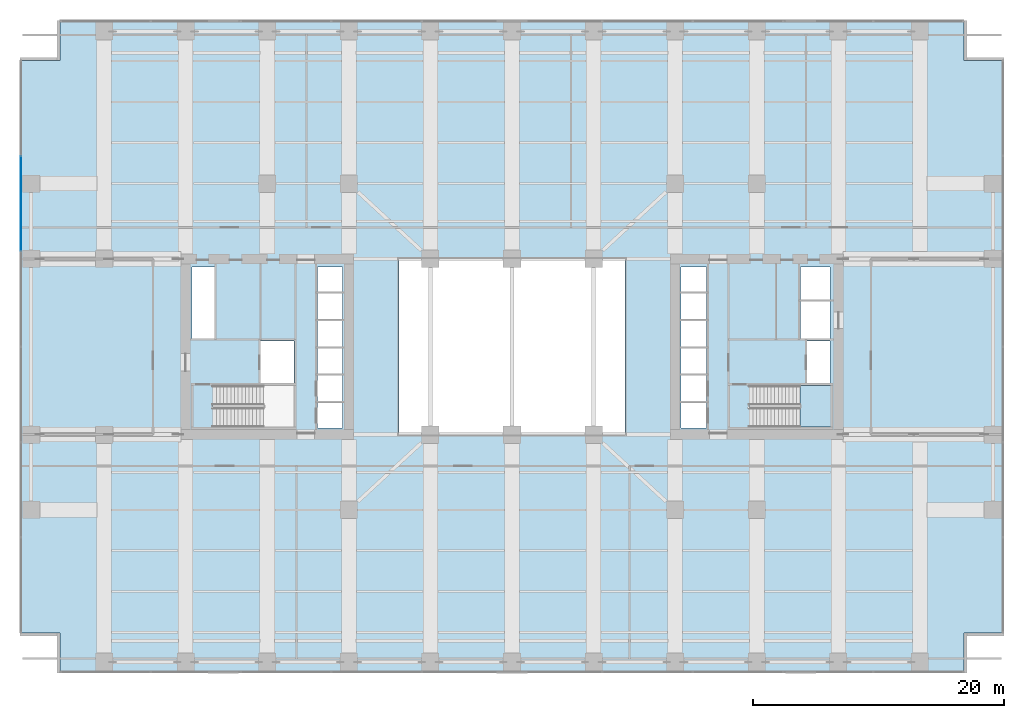
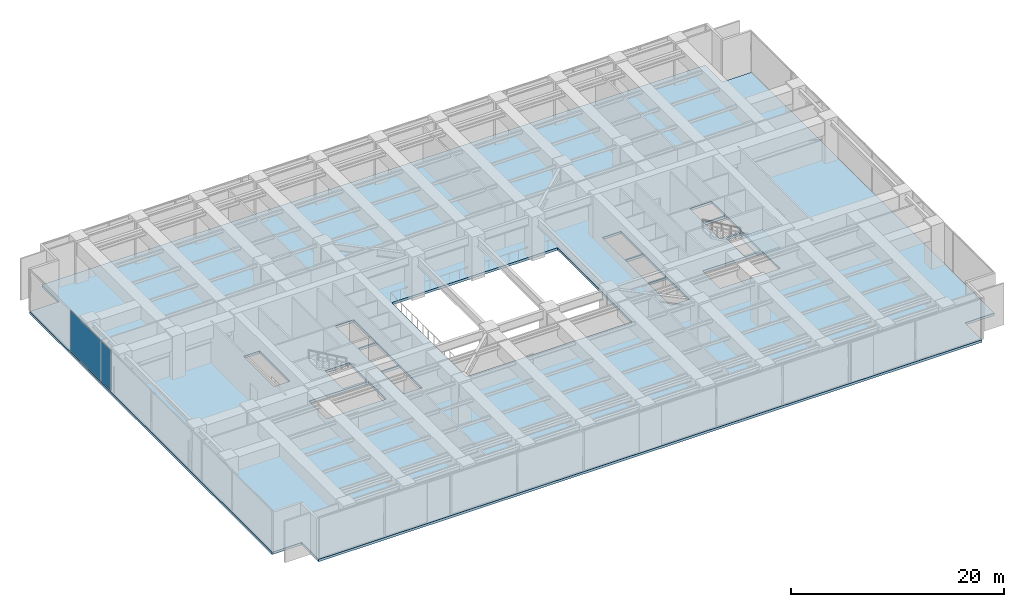
# One storey, part 16 of 31: 2 slabs, 1 plate, 2 elements without a shape of their own.
"""IFC4 building model written with IfcOpenShell, lengths in metres."""

from ifc_helpers import new_model, si_unit, direction, frame, origin, origin_2d, place, context, subcontext, project, spatial, polyline, rectangle, outline, extrude, material, layer, layer_set, type_object, element, aggregate, save


model = new_model("IFC4")

# Units and contexts
model_context = context("Model", 3, precision=1e-05, world=origin(), true_north=direction((0.0, 1.0)))
body_context = subcontext(model_context, "Body", "Model", "MODEL_VIEW")
ifc_project = project(units=[si_unit("LENGTHUNIT", "METRE"), si_unit("AREAUNIT", "SQUARE_METRE"), si_unit("VOLUMEUNIT", "CUBIC_METRE"), si_unit("PLANEANGLEUNIT", "RADIAN"), si_unit("MASSUNIT", "GRAM", prefix="KILO")], contexts=[model_context])

# Site, building, storey
site_placement = place(None, origin())
site = spatial("IfcSite", under=ifc_project, at=site_placement, CompositionType="ELEMENT")
building_placement = place(site_placement, origin())
building = spatial("IfcBuilding", under=site, at=building_placement, Name="Putna Gate Headquarters", CompositionType="ELEMENT")
storey_placement = place(building_placement, frame((0.0, 0.0, 81.0)))
storey = spatial("IfcBuildingStorey", under=building, at=storey_placement, Name="L19", CompositionType="ELEMENT", Elevation=81.0)

# Stair, slab
ifc_material_1 = material(Name="Concrete C40/50", Category="concrete")
stair_type = type_object("IfcStairType", Name="STAIR-ST2", PredefinedType="HALF_TURN_STAIR", material=ifc_material_1)
stair_placement = place(storey_placement, origin())
stair = element("IfcStair", 1, at=stair_placement, inside=storey, type_object=stair_type, Name="L19 East Core Exit Stair ST2", PredefinedType="HALF_TURN_STAIR")
ifc_layer_1 = layer(ifc_material_1, 0.199951171875)
ifc_layer_set_1 = layer_set([ifc_layer_1], Name="Concrete C40/50")
slab_type_1 = type_object("IfcSlabType", Name="LANDING-ST2", PredefinedType="LANDING", material=ifc_layer_set_1)
slab_1_placement = place(storey_placement, frame((0.0, 0.0, 2.300048828125)))
slab_1 = element("IfcSlab", 2, at=slab_1_placement, type_object=slab_type_1, Name="ST2 landing 1", PredefinedType="LANDING", context=body_context, shape_type="SweptSolid", body=[
    extrude(outline(polyline([(61.9599609375, 19.60009765625), (64.39990234375, 19.60009765625), (64.39990234375, 22.89990234375), (61.9599609375, 22.89990234375), (61.9599609375, 19.60009765625)])), origin(), (0.0, 0.0, 1.0), 0.199951171875),
])
aggregate(stair, [slab_1])

# Curtain wall, plate
ifc_material_2 = material(Name="Anodised bronze aluminium curtain wall", Category="aluminium")
ifc_layer_2 = layer(ifc_material_2, 0.159912109375)
ifc_layer_set_2 = layer_set([ifc_layer_2], Name="Anodised bronze aluminium curtain wall")
curtain_wall_type = type_object("IfcCurtainWallType", Name="CW-SYS-CRN", PredefinedType="USERDEFINED", material=ifc_layer_set_2)
curtain_wall_placement = place(storey_placement, origin())
curtain_wall = element("IfcCurtainWall", 3, at=curtain_wall_placement, inside=storey, type_object=curtain_wall_type, Name="L19 Acoustic Louvre West Enclosure", ObjectType="STICK CURTAIN WALL", PredefinedType="USERDEFINED")
ifc_material_3 = material(Name="Anodised bronze acoustic louvre panel", Category="aluminium")
ifc_layer_3 = layer(ifc_material_3, 0.044921875)
ifc_layer_set_3 = layer_set([ifc_layer_3], Name="Anodised bronze acoustic louvre panel")
plate_type = type_object("IfcPlateType", Name="PAN-CWP-CR", PredefinedType="CURTAIN_PANEL", material=ifc_layer_set_3)
plate_placement = place(storey_placement, frame((-0.1201171875, 37.39990234375, 0.06494140625), z_axis=(0.0, 0.0, 1.0), x_axis=(0.0, 1.0, 0.0)))
plate = element("IfcPlate", 4, at=plate_placement, type_object=plate_type, Name="CWS-CR panel 5.1", PredefinedType="CURTAIN_PANEL", context=body_context, shape_type="SweptSolid", body=[
    extrude(rectangle(XDim=7.534912109375, YDim=0.044921875, at=origin_2d()), origin(), (0.0, 0.0, 1.0), 4.635009765625),
])
aggregate(curtain_wall, [plate])

# Slab
ifc_layer_4 = layer(ifc_material_1, 0.280029296875)
ifc_layer_set_4 = layer_set([ifc_layer_4], Name="Concrete C40/50")
slab_type_2 = type_object("IfcSlabType", Name="SLAB-PLANT-280", PredefinedType="FLOOR", material=ifc_layer_set_4)
slab_2_placement = place(storey_placement, frame((0.0, 0.0, -0.280029296875)))
element("IfcSlab", 5, at=slab_2_placement, inside=storey, type_object=slab_type_2, Name="L19 Composite Floor Slab", PredefinedType="FLOOR", context=body_context, shape_type="SweptSolid", body=[
    extrude(outline(polyline([(3.0, 0.0), (75.0, 0.0), (75.0, 3.199951171875), (78.199951171875, 3.199951171875), (78.199951171875, 48.800048828125), (75.0, 48.800048828125), (75.0, 52.0), (3.0, 52.0), (3.0, 48.800048828125), (-0.199951171875, 48.800048828125), (-0.199951171875, 3.199951171875), (3.0, 3.199951171875), (3.0, 0.0)]), holes=[polyline([(15.1650390625, 19.60009765625), (21.64990234375, 19.60009765625), (21.64990234375, 22.89990234375), (15.1650390625, 22.89990234375), (15.1650390625, 19.60009765625)]), polyline([(57.9150390625, 19.60009765625), (64.39990234375, 19.60009765625), (64.39990234375, 22.89990234375), (57.9150390625, 22.89990234375), (57.9150390625, 19.60009765625)]), polyline([(13.52001953125, 26.659912109375), (15.280029296875, 26.659912109375), (15.280029296875, 32.35009765625), (13.52001953125, 32.35009765625), (13.52001953125, 26.659912109375)]), polyline([(61.969970703125, 29.780029296875), (64.35009765625, 29.780029296875), (64.35009765625, 32.35009765625), (61.969970703125, 32.35009765625), (61.969970703125, 29.780029296875)]), polyline([(18.97998046875, 23.1201171875), (21.6201171875, 23.1201171875), (21.6201171875, 26.4599609375), (18.97998046875, 26.4599609375), (18.97998046875, 23.1201171875)]), polyline([(62.52001953125, 23.1201171875), (64.35009765625, 23.1201171875), (64.35009765625, 26.4599609375), (62.52001953125, 26.4599609375), (62.52001953125, 23.1201171875)]), polyline([(61.969970703125, 26.659912109375), (64.35009765625, 26.659912109375), (64.35009765625, 29.6201171875), (61.969970703125, 29.6201171875), (61.969970703125, 26.659912109375)]), polyline([(23.5, 19.52001953125), (25.5, 19.52001953125), (25.5, 23.699951171875), (23.5, 23.699951171875), (23.5, 19.52001953125)]), polyline([(52.47998046875, 19.52001953125), (54.5, 19.52001953125), (54.5, 23.699951171875), (52.47998046875, 23.699951171875), (52.47998046875, 19.52001953125)]), polyline([(23.5, 23.860107421875), (25.5, 23.860107421875), (25.5, 28.0400390625), (23.5, 28.0400390625), (23.5, 23.860107421875)]), polyline([(52.47998046875, 23.860107421875), (54.5, 23.860107421875), (54.5, 28.0400390625), (52.47998046875, 28.0400390625), (52.47998046875, 23.860107421875)]), polyline([(23.5, 28.199951171875), (25.5, 28.199951171875), (25.5, 32.35009765625), (23.5, 32.35009765625), (23.5, 28.199951171875)]), polyline([(52.47998046875, 28.199951171875), (54.5, 28.199951171875), (54.5, 32.35009765625), (52.47998046875, 32.35009765625), (52.47998046875, 28.199951171875)]), polyline([(30.0, 19.0), (48.0, 19.0), (48.0, 33.0), (30.0, 33.0), (30.0, 19.0)])]), origin(), (0.0, 0.0, 1.0), 0.280029296875),
])

save(model, "model.ifc")
